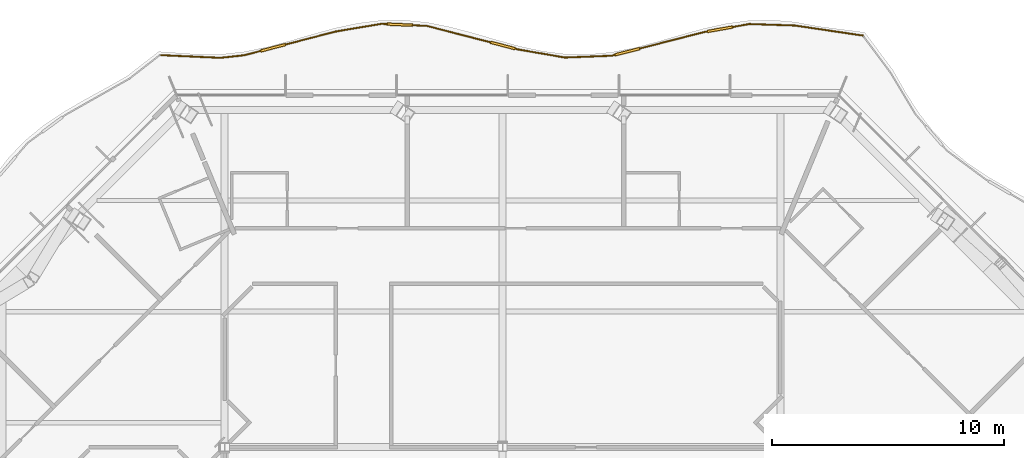
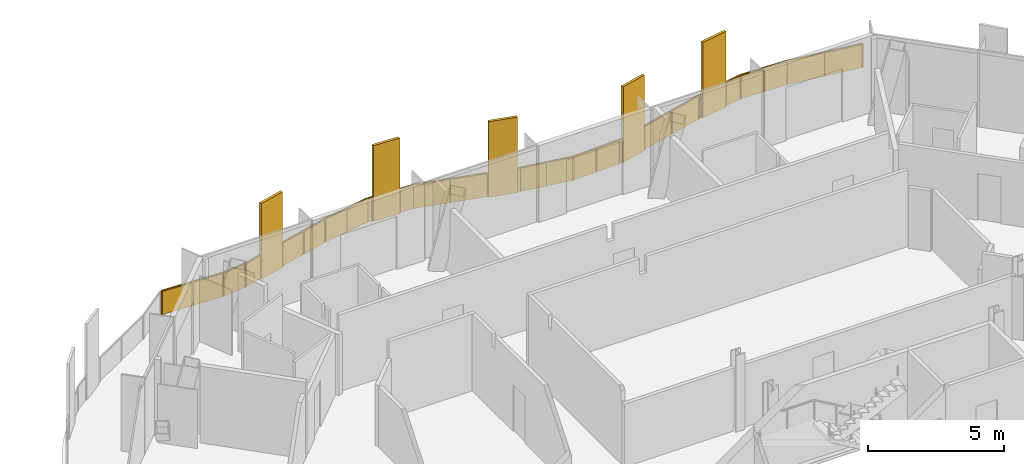
# One storey, part 21 of 22: 1 railing.
"""IFC4 building model written with IfcOpenShell, lengths in metres."""

from ifc_helpers import new_model, si_unit, direction, frame, origin, origin_2d, place, context, subcontext, project, spatial, polyline, rectangle, outline, extrude, material, type_object, element, save


model = new_model("IFC4")

# Units and contexts
model_context = context("Model", 3, precision=1e-05, world=origin(), true_north=direction((0.0, 1.0)))
body_context = subcontext(model_context, "Body", "Model", "MODEL_VIEW")
ifc_project = project(units=[si_unit("LENGTHUNIT", "METRE"), si_unit("AREAUNIT", "SQUARE_METRE"), si_unit("VOLUMEUNIT", "CUBIC_METRE"), si_unit("PLANEANGLEUNIT", "RADIAN"), si_unit("MASSUNIT", "GRAM", prefix="KILO")], contexts=[model_context])

# Site, building, storey
site_placement = place(None, origin())
site = spatial("IfcSite", under=ifc_project, at=site_placement, CompositionType="ELEMENT")
building_placement = place(site_placement, origin())
building = spatial("IfcBuilding", under=site, at=building_placement, Name="Cairn Pilgrim Tower", CompositionType="ELEMENT")
storey_placement = place(building_placement, frame((0.0, 0.0, 175.800048828125)))
storey = spatial("IfcBuildingStorey", under=building, at=storey_placement, Name="L44", CompositionType="ELEMENT", Elevation=175.800048828125)

# Railing
ifc_material = material(Name="Bronze anodised aluminium rail, posts and fin screens with laminated glass infill", Category="aluminium")
railing_type = type_object("IfcRailingType", Name="BALCONY GUARD WITH FIN SCREENS", PredefinedType="GUARDRAIL", material=ifc_material)
railing_placement = place(storey_placement, frame((22.761474609375, 30.97265625, 0.0)))
element("IfcRailing", 1, at=railing_placement, inside=storey, type_object=railing_type, Name="Balcony guard BGF-5 with fin screens", PredefinedType="GUARDRAIL", context=body_context, shape_type="SweptSolid", body=[
    extrude(rectangle(XDim=0.050048828125, YDim=0.050048828125, at=origin_2d()), frame((0.0, 0.0, 1.0751953125), z_axis=(-0.989236558424, 0.146325088338, 0.0), x_axis=(-0.146325088338, -0.989236558424, 0.0)), (0.0, 0.0, 1.0), 2.96826171875),
    extrude(rectangle(XDim=0.050048828125, YDim=0.050048828125, at=origin_2d()), frame((-2.936279296875, 0.434326171875, 1.0751953125), z_axis=(-0.999464877841, 0.032710211905, 0.0), x_axis=(-0.032710211905, -0.999464877841, 0.0)), (0.0, 0.0, 1.0), 1.962890625),
    extrude(rectangle(XDim=1.10009765625, YDim=0.110107421875, at=origin_2d()), frame((-6.17431640625, 0.272216796875, 0.0), z_axis=(0.0, 0.0, 1.0), x_axis=(-0.984645317954, -0.174566886411, 0.0)), (0.0, 0.0, 1.0), 3.39990234375),
    extrude(rectangle(XDim=0.050048828125, YDim=0.050048828125, at=origin_2d()), frame((-4.898193359375, 0.49853515625, 1.0751953125), z_axis=(-0.984645317954, -0.174566886411, 0.0), x_axis=(0.174566886411, -0.984645317954, 0.0)), (0.0, 0.0, 1.0), 0.745849609375),
    extrude(rectangle(XDim=0.050048828125, YDim=0.050048828125, at=origin_2d()), frame((-6.7158203125, 0.17626953125, 1.0751953125), z_axis=(-0.984645317954, -0.174566886411, 0.0), x_axis=(0.174566886411, -0.984645317954, 0.0)), (0.0, 0.0, 1.0), 0.14990234375),
    extrude(rectangle(XDim=1.10009765625, YDim=0.110107421875, at=origin_2d()), frame((-10.167724609375, -0.69677734375, 0.0), z_axis=(0.0, 0.0, 1.0), x_axis=(-0.968686209303, -0.248288195261, 0.0)), (0.0, 0.0, 1.0), 3.39990234375),
    extrude(rectangle(XDim=0.050048828125, YDim=0.050048828125, at=origin_2d()), frame((-6.86328125, 0.150146484375, 1.0751953125), z_axis=(-0.968686209303, -0.248288195261, 0.0), x_axis=(0.248288195261, -0.968686209303, 0.0)), (0.0, 0.0, 1.0), 2.861328125),
    extrude(rectangle(XDim=0.050048828125, YDim=0.050048828125, at=origin_2d()), frame((-10.700439453125, -0.83349609375, 1.0751953125), z_axis=(-0.968686209303, -0.248288195261, 0.0), x_axis=(0.248288195261, -0.968686209303, 0.0)), (0.0, 0.0, 1.0), 0.14990234375),
    extrude(rectangle(XDim=0.050048828125, YDim=0.050048828125, at=origin_2d()), frame((-10.845703125, -0.87060546875, 1.0751953125), z_axis=(-0.999241942789, -0.038929934129, 0.0), x_axis=(0.038929934129, -0.999241942789, 0.0)), (0.0, 0.0, 1.0), 2.019287109375),
    extrude(rectangle(XDim=0.050048828125, YDim=0.050048828125, at=origin_2d()), frame((-12.863525390625, -0.94921875, 1.0751953125), z_axis=(-0.985458732026, 0.169914941879, 0.0), x_axis=(-0.169914941879, -0.985458732026, 0.0)), (0.0, 0.0, 1.0), 2.037353515625),
    extrude(rectangle(XDim=1.10009765625, YDim=0.110107421875, at=origin_2d()), frame((-15.54931640625, -0.42822265625, 0.0), z_axis=(0.0, 0.0, 1.0), x_axis=(-0.968355490309, 0.249574927403, 0.0)), (0.0, 0.0, 1.0), 3.39990234375),
    extrude(rectangle(XDim=0.050048828125, YDim=0.050048828125, at=origin_2d()), frame((-14.871337890625, -0.60302734375, 1.0751953125), z_axis=(-0.968355490309, 0.249574927403, 0.0), x_axis=(-0.249574927403, -0.968355490309, 0.0)), (0.0, 0.0, 1.0), 0.150146484375),
    extrude(rectangle(XDim=0.050048828125, YDim=0.050048828125, at=origin_2d()), frame((-16.081787109375, -0.291015625, 1.0751953125), z_axis=(-0.968355490309, 0.249574927403, 0.0), x_axis=(-0.249574927403, -0.968355490309, 0.0)), (0.0, 0.0, 1.0), 2.8427734375),
    extrude(rectangle(XDim=1.10009765625, YDim=0.110107421875, at=origin_2d()), frame((-19.999267578125, 0.470947265625, 0.0), z_axis=(0.0, 0.0, 1.0), x_axis=(-0.998985193426, 0.045039797031, 0.0)), (0.0, 0.0, 1.0), 3.39990234375),
    extrude(rectangle(XDim=0.050048828125, YDim=0.050048828125, at=origin_2d()), frame((-18.834716796875, 0.41845703125, 1.0751953125), z_axis=(-0.998985193426, 0.045039797031, 0.0), x_axis=(-0.045039797031, -0.998985193426, 0.0)), (0.0, 0.0, 1.0), 0.61572265625),
    extrude(rectangle(XDim=0.050048828125, YDim=0.050048828125, at=origin_2d()), frame((-20.548583984375, 0.495849609375, 1.0751953125), z_axis=(-0.998985193426, 0.045039797031, 0.0), x_axis=(-0.045039797031, -0.998985193426, 0.0)), (0.0, 0.0, 1.0), 0.2412109375),
    extrude(rectangle(XDim=0.050048828125, YDim=0.050048828125, at=origin_2d()), frame((-20.78955078125, 0.506591796875, 1.0751953125), z_axis=(-0.986287676169, -0.165035207872, 0.0), x_axis=(0.165035207872, -0.986287676169, 0.0)), (0.0, 0.0, 1.0), 1.9912109375),
    extrude(rectangle(XDim=1.10009765625, YDim=0.110107421875, at=origin_2d()), frame((-25.467041015625, -0.525146484375, 0.0), z_axis=(0.0, 0.0, 1.0), x_axis=(-0.968041263917, -0.250790971437, 0.0)), (0.0, 0.0, 1.0), 3.39990234375),
    extrude(rectangle(XDim=0.050048828125, YDim=0.050048828125, at=origin_2d()), frame((-22.75341796875, 0.177978515625, 1.0751953125), z_axis=(-0.968041263917, -0.250790971437, 0.0), x_axis=(0.250790971437, -0.968041263917, 0.0)), (0.0, 0.0, 1.0), 2.253173828125),
    extrude(rectangle(XDim=0.050048828125, YDim=0.050048828125, at=origin_2d()), frame((-25.99951171875, -0.6630859375, 1.0751953125), z_axis=(-0.968041263917, -0.250790971437, 0.0), x_axis=(0.250790971437, -0.968041263917, 0.0)), (0.0, 0.0, 1.0), 0.7548828125),
    extrude(rectangle(XDim=0.050048828125, YDim=0.050048828125, at=origin_2d()), frame((-26.730224609375, -0.852294921875, 1.0751953125), z_axis=(-0.994324519311, -0.106389615555, 0.0), x_axis=(0.106389615555, -0.994324519311, 0.0)), (0.0, 0.0, 1.0), 1.021240234375),
    extrude(rectangle(XDim=0.050048828125, YDim=0.050048828125, at=origin_2d()), frame((-27.74560546875, -0.9609375, 1.0751953125), z_axis=(-0.998999944389, 0.044711420357, 0.0), x_axis=(-0.044711420357, -0.998999944389, 0.0)), (0.0, 0.0, 1.0), 2.560791015625),
    extrude(rectangle(XDim=0.050048828125, YDim=0.050048828125, at=origin_2d()), origin(), (0.0, 0.0, 1.0), 1.050048828125),
    extrude(rectangle(XDim=0.050048828125, YDim=0.050048828125, at=origin_2d()), frame((-1.46826171875, 0.21728515625, 0.0)), (0.0, 0.0, 1.0), 1.050048828125),
    extrude(rectangle(XDim=0.050048828125, YDim=0.050048828125, at=origin_2d()), frame((-2.936279296875, 0.434326171875, 0.0)), (0.0, 0.0, 1.0), 1.050048828125),
    extrude(rectangle(XDim=0.050048828125, YDim=0.050048828125, at=origin_2d()), frame((-3.917236328125, 0.46630859375, 0.0)), (0.0, 0.0, 1.0), 1.050048828125),
    extrude(rectangle(XDim=0.050048828125, YDim=0.050048828125, at=origin_2d()), frame((-4.898193359375, 0.49853515625, 0.0)), (0.0, 0.0, 1.0), 1.050048828125),
    extrude(rectangle(XDim=0.050048828125, YDim=0.050048828125, at=origin_2d()), frame((-5.60791015625, 0.372802734375, 0.0)), (0.0, 0.0, 1.0), 1.050048828125),
    extrude(rectangle(XDim=0.050048828125, YDim=0.050048828125, at=origin_2d()), frame((-6.740478515625, 0.171875, 0.0)), (0.0, 0.0, 1.0), 1.050048828125),
    extrude(rectangle(XDim=0.050048828125, YDim=0.050048828125, at=origin_2d()), frame((-6.86328125, 0.150146484375, 0.0)), (0.0, 0.0, 1.0), 1.050048828125),
    extrude(rectangle(XDim=0.050048828125, YDim=0.050048828125, at=origin_2d()), frame((-8.237060546875, -0.201904296875, 0.0)), (0.0, 0.0, 1.0), 1.050048828125),
    extrude(rectangle(XDim=0.050048828125, YDim=0.050048828125, at=origin_2d()), frame((-9.61083984375, -0.553955078125, 0.0)), (0.0, 0.0, 1.0), 1.050048828125),
    extrude(rectangle(XDim=0.050048828125, YDim=0.050048828125, at=origin_2d()), frame((-10.724853515625, -0.839599609375, 0.0)), (0.0, 0.0, 1.0), 1.050048828125),
    extrude(rectangle(XDim=0.050048828125, YDim=0.050048828125, at=origin_2d()), frame((-10.845703125, -0.87060546875, 0.0)), (0.0, 0.0, 1.0), 1.050048828125),
    extrude(rectangle(XDim=0.050048828125, YDim=0.050048828125, at=origin_2d()), frame((-11.8544921875, -0.909912109375, 0.0)), (0.0, 0.0, 1.0), 1.050048828125),
    extrude(rectangle(XDim=0.050048828125, YDim=0.050048828125, at=origin_2d()), frame((-12.863525390625, -0.94921875, 0.0)), (0.0, 0.0, 1.0), 1.050048828125),
    extrude(rectangle(XDim=0.050048828125, YDim=0.050048828125, at=origin_2d()), frame((-13.867431640625, -0.776123046875, 0.0)), (0.0, 0.0, 1.0), 1.050048828125),
    extrude(rectangle(XDim=0.050048828125, YDim=0.050048828125, at=origin_2d()), frame((-14.871337890625, -0.60302734375, 0.0)), (0.0, 0.0, 1.0), 1.050048828125),
    extrude(rectangle(XDim=0.050048828125, YDim=0.050048828125, at=origin_2d()), frame((-14.992431640625, -0.57177734375, 0.0)), (0.0, 0.0, 1.0), 1.050048828125),
    extrude(rectangle(XDim=0.050048828125, YDim=0.050048828125, at=origin_2d()), frame((-16.106201171875, -0.28466796875, 0.0)), (0.0, 0.0, 1.0), 1.050048828125),
    extrude(rectangle(XDim=0.050048828125, YDim=0.050048828125, at=origin_2d()), frame((-17.470458984375, 0.06689453125, 0.0)), (0.0, 0.0, 1.0), 1.050048828125),
    extrude(rectangle(XDim=0.050048828125, YDim=0.050048828125, at=origin_2d()), frame((-18.834716796875, 0.41845703125, 0.0)), (0.0, 0.0, 1.0), 1.050048828125),
    extrude(rectangle(XDim=0.050048828125, YDim=0.050048828125, at=origin_2d()), frame((-19.4248046875, 0.445068359375, 0.0)), (0.0, 0.0, 1.0), 1.050048828125),
    extrude(rectangle(XDim=0.050048828125, YDim=0.050048828125, at=origin_2d()), frame((-20.57373046875, 0.496826171875, 0.0)), (0.0, 0.0, 1.0), 1.050048828125),
    extrude(rectangle(XDim=0.050048828125, YDim=0.050048828125, at=origin_2d()), frame((-20.78955078125, 0.506591796875, 0.0)), (0.0, 0.0, 1.0), 1.050048828125),
    extrude(rectangle(XDim=0.050048828125, YDim=0.050048828125, at=origin_2d()), frame((-21.771484375, 0.34228515625, 0.0)), (0.0, 0.0, 1.0), 1.050048828125),
    extrude(rectangle(XDim=0.050048828125, YDim=0.050048828125, at=origin_2d()), frame((-22.75341796875, 0.177978515625, 0.0)), (0.0, 0.0, 1.0), 1.050048828125),
    extrude(rectangle(XDim=0.050048828125, YDim=0.050048828125, at=origin_2d()), frame((-23.83203125, -0.101318359375, 0.0)), (0.0, 0.0, 1.0), 1.050048828125),
    extrude(rectangle(XDim=0.050048828125, YDim=0.050048828125, at=origin_2d()), frame((-24.910400390625, -0.380859375, 0.0)), (0.0, 0.0, 1.0), 1.050048828125),
    extrude(rectangle(XDim=0.050048828125, YDim=0.050048828125, at=origin_2d()), frame((-26.023681640625, -0.669189453125, 0.0)), (0.0, 0.0, 1.0), 1.050048828125),
    extrude(rectangle(XDim=0.050048828125, YDim=0.050048828125, at=origin_2d()), frame((-26.730224609375, -0.852294921875, 0.0)), (0.0, 0.0, 1.0), 1.050048828125),
    extrude(rectangle(XDim=0.050048828125, YDim=0.050048828125, at=origin_2d()), frame((-27.74560546875, -0.9609375, 0.0)), (0.0, 0.0, 1.0), 1.050048828125),
    extrude(rectangle(XDim=0.050048828125, YDim=0.050048828125, at=origin_2d()), frame((-29.02490234375, -0.90380859375, 0.0)), (0.0, 0.0, 1.0), 1.050048828125),
    extrude(rectangle(XDim=0.050048828125, YDim=0.050048828125, at=origin_2d()), frame((-30.303955078125, -0.846435546875, 0.0)), (0.0, 0.0, 1.0), 1.050048828125),
    extrude(outline(polyline([(0.02490234375, 0.0), (1.458984375, 0.0), (1.458984375, 1.050048828125), (0.02490234375, 1.050048828125), (0.02490234375, 0.0)])), frame((-0.0009765625, -0.005859375, 0.0), z_axis=(0.146325088338, 0.989236558424, 0.0), x_axis=(-0.989236558424, 0.146325088338, 0.0)), (0.0, 0.0, 1.0), 0.011962890625),
    extrude(outline(polyline([(0.02490234375, 0.0), (1.458984375, 0.0), (1.458984375, 1.050048828125), (0.02490234375, 1.050048828125), (0.02490234375, 0.0)])), frame((-1.468994140625, 0.211181640625, 0.0), z_axis=(0.146325088338, 0.989236558424, 0.0), x_axis=(-0.989236558424, 0.146325088338, 0.0)), (0.0, 0.0, 1.0), 0.011962890625),
    extrude(outline(polyline([(0.02490234375, 0.0), (0.95654296875, 0.0), (0.95654296875, 1.050048828125), (0.02490234375, 1.050048828125), (0.02490234375, 0.0)])), frame((-2.9365234375, 0.428466796875, 0.0), z_axis=(0.032710211905, 0.999464877841, 0.0), x_axis=(-0.999464877841, 0.032710211905, 0.0)), (0.0, 0.0, 1.0), 0.011962890625),
    extrude(outline(polyline([(0.02490234375, 0.0), (0.95654296875, 0.0), (0.95654296875, 1.050048828125), (0.02490234375, 1.050048828125), (0.02490234375, 0.0)])), frame((-3.91748046875, 0.46044921875, 0.0), z_axis=(0.032710211905, 0.999464877841, 0.0), x_axis=(-0.999464877841, 0.032710211905, 0.0)), (0.0, 0.0, 1.0), 0.011962890625),
    extrude(outline(polyline([(0.02490234375, 0.0), (0.69580078125, 0.0), (0.69580078125, 1.050048828125), (0.02490234375, 1.050048828125), (0.02490234375, 0.0)])), frame((-4.897216796875, 0.49267578125, 0.0), z_axis=(-0.174566886411, 0.984645317954, 0.0), x_axis=(-0.984645317954, -0.174566886411, 0.0)), (0.0, 0.0, 1.0), 0.011962890625),
    extrude(outline(polyline([(0.02490234375, 0.0), (0.099853515625, 0.0), (0.099853515625, 1.050048828125), (0.02490234375, 1.050048828125), (0.02490234375, 0.0)])), frame((-6.7392578125, 0.166015625, 0.0), z_axis=(-0.174566886411, 0.984645317954, 0.0), x_axis=(-0.984645317954, -0.174566886411, 0.0)), (0.0, 0.0, 1.0), 0.011962890625),
    extrude(outline(polyline([(0.02490234375, 0.0), (1.39306640625, 0.0), (1.39306640625, 1.050048828125), (0.02490234375, 1.050048828125), (0.02490234375, 0.0)])), frame((-6.86181640625, 0.144287109375, 0.0), z_axis=(-0.248288195261, 0.968686209303, 0.0), x_axis=(-0.968686209303, -0.248288195261, 0.0)), (0.0, 0.0, 1.0), 0.011962890625),
    extrude(outline(polyline([(0.02490234375, 0.0), (1.39306640625, 0.0), (1.39306640625, 1.050048828125), (0.02490234375, 1.050048828125), (0.02490234375, 0.0)])), frame((-8.235595703125, -0.207763671875, 0.0), z_axis=(-0.248288195261, 0.968686209303, 0.0), x_axis=(-0.968686209303, -0.248288195261, 0.0)), (0.0, 0.0, 1.0), 0.011962890625),
    extrude(outline(polyline([(0.02490234375, 0.0), (0.099853515625, 0.0), (0.099853515625, 1.050048828125), (0.02490234375, 1.050048828125), (0.02490234375, 0.0)])), frame((-10.723388671875, -0.845458984375, 0.0), z_axis=(-0.248288195261, 0.968686209303, 0.0), x_axis=(-0.968686209303, -0.248288195261, 0.0)), (0.0, 0.0, 1.0), 0.011962890625),
    extrude(outline(polyline([(0.02490234375, 0.0), (0.984619140625, 0.0), (0.984619140625, 1.050048828125), (0.02490234375, 1.050048828125), (0.02490234375, 0.0)])), frame((-10.845458984375, -0.87646484375, 0.0), z_axis=(-0.038929934129, 0.999241942789, 0.0), x_axis=(-0.999241942789, -0.038929934129, 0.0)), (0.0, 0.0, 1.0), 0.011962890625),
    extrude(outline(polyline([(0.02490234375, 0.0), (0.984619140625, 0.0), (0.984619140625, 1.050048828125), (0.02490234375, 1.050048828125), (0.02490234375, 0.0)])), frame((-11.8544921875, -0.915771484375, 0.0), z_axis=(-0.038929934129, 0.999241942789, 0.0), x_axis=(-0.999241942789, -0.038929934129, 0.0)), (0.0, 0.0, 1.0), 0.011962890625),
    extrude(outline(polyline([(0.02490234375, 0.0), (0.99365234375, 0.0), (0.99365234375, 1.050048828125), (0.02490234375, 1.050048828125), (0.02490234375, 0.0)])), frame((-12.864501953125, -0.955078125, 0.0), z_axis=(0.169914941879, 0.985458732026, 0.0), x_axis=(-0.985458732026, 0.169914941879, 0.0)), (0.0, 0.0, 1.0), 0.011962890625),
    extrude(outline(polyline([(0.02490234375, 0.0), (0.99365234375, 0.0), (0.99365234375, 1.050048828125), (0.02490234375, 1.050048828125), (0.02490234375, 0.0)])), frame((-13.868408203125, -0.781982421875, 0.0), z_axis=(0.169914941879, 0.985458732026, 0.0), x_axis=(-0.985458732026, 0.169914941879, 0.0)), (0.0, 0.0, 1.0), 0.011962890625),
    extrude(outline(polyline([(0.02490234375, 0.0), (0.10009765625, 0.0), (0.10009765625, 1.050048828125), (0.02490234375, 1.050048828125), (0.02490234375, 0.0)])), frame((-14.872802734375, -0.60888671875, 0.0), z_axis=(0.249574927403, 0.968355490309, 0.0), x_axis=(-0.968355490309, 0.249574927403, 0.0)), (0.0, 0.0, 1.0), 0.011962890625),
    extrude(outline(polyline([(0.02490234375, 0.0), (1.3837890625, 0.0), (1.3837890625, 1.050048828125), (0.02490234375, 1.050048828125), (0.02490234375, 0.0)])), frame((-16.107666015625, -0.29052734375, 0.0), z_axis=(0.249574927403, 0.968355490309, 0.0), x_axis=(-0.968355490309, 0.249574927403, 0.0)), (0.0, 0.0, 1.0), 0.011962890625),
    extrude(outline(polyline([(0.02490234375, 0.0), (1.3837890625, 0.0), (1.3837890625, 1.050048828125), (0.02490234375, 1.050048828125), (0.02490234375, 0.0)])), frame((-17.471923828125, 0.06103515625, 0.0), z_axis=(0.249574927403, 0.968355490309, 0.0), x_axis=(-0.968355490309, 0.249574927403, 0.0)), (0.0, 0.0, 1.0), 0.011962890625),
    extrude(outline(polyline([(0.02490234375, 0.0), (0.565673828125, 0.0), (0.565673828125, 1.050048828125), (0.02490234375, 1.050048828125), (0.02490234375, 0.0)])), frame((-18.8349609375, 0.41259765625, 0.0), z_axis=(0.045039797031, 0.998985193426, 0.0), x_axis=(-0.998985193426, 0.045039797031, 0.0)), (0.0, 0.0, 1.0), 0.011962890625),
    extrude(outline(polyline([(0.02490234375, 0.0), (0.191162109375, 0.0), (0.191162109375, 1.050048828125), (0.02490234375, 1.050048828125), (0.02490234375, 0.0)])), frame((-20.573974609375, 0.490966796875, 0.0), z_axis=(0.045039797031, 0.998985193426, 0.0), x_axis=(-0.998985193426, 0.045039797031, 0.0)), (0.0, 0.0, 1.0), 0.011962890625),
    extrude(outline(polyline([(0.02490234375, 0.0), (0.970458984375, 0.0), (0.970458984375, 1.050048828125), (0.02490234375, 1.050048828125), (0.02490234375, 0.0)])), frame((-20.78857421875, 0.500732421875, 0.0), z_axis=(-0.165035207872, 0.986287676169, 0.0), x_axis=(-0.986287676169, -0.165035207872, 0.0)), (0.0, 0.0, 1.0), 0.011962890625),
    extrude(outline(polyline([(0.02490234375, 0.0), (0.970458984375, 0.0), (0.970458984375, 1.050048828125), (0.02490234375, 1.050048828125), (0.02490234375, 0.0)])), frame((-21.7705078125, 0.33642578125, 0.0), z_axis=(-0.165035207872, 0.986287676169, 0.0), x_axis=(-0.986287676169, -0.165035207872, 0.0)), (0.0, 0.0, 1.0), 0.011962890625),
    extrude(outline(polyline([(0.02490234375, 0.0), (1.089111328125, 0.0), (1.089111328125, 1.050048828125), (0.02490234375, 1.050048828125), (0.02490234375, 0.0)])), frame((-22.751953125, 0.172119140625, 0.0), z_axis=(-0.250790971437, 0.968041263917, 0.0), x_axis=(-0.968041263917, -0.250790971437, 0.0)), (0.0, 0.0, 1.0), 0.011962890625),
    extrude(outline(polyline([(0.02490234375, 0.0), (1.089111328125, 0.0), (1.089111328125, 1.050048828125), (0.02490234375, 1.050048828125), (0.02490234375, 0.0)])), frame((-23.830322265625, -0.107177734375, 0.0), z_axis=(-0.250790971437, 0.968041263917, 0.0), x_axis=(-0.968041263917, -0.250790971437, 0.0)), (0.0, 0.0, 1.0), 0.011962890625),
    extrude(outline(polyline([(0.02490234375, 0.0), (0.704833984375, 0.0), (0.704833984375, 1.050048828125), (0.02490234375, 1.050048828125), (0.02490234375, 0.0)])), frame((-26.022216796875, -0.675048828125, 0.0), z_axis=(-0.250790971437, 0.968041263917, 0.0), x_axis=(-0.968041263917, -0.250790971437, 0.0)), (0.0, 0.0, 1.0), 0.011962890625),
    extrude(outline(polyline([(0.02490234375, 0.0), (0.99609375, 0.0), (0.99609375, 1.050048828125), (0.02490234375, 1.050048828125), (0.02490234375, 0.0)])), frame((-26.7294921875, -0.858154296875, 0.0), z_axis=(-0.106389615555, 0.994324519311, 0.0), x_axis=(-0.994324519311, -0.106389615555, 0.0)), (0.0, 0.0, 1.0), 0.011962890625),
    extrude(outline(polyline([(0.02490234375, 0.0), (1.25537109375, 0.0), (1.25537109375, 1.050048828125), (0.02490234375, 1.050048828125), (0.02490234375, 0.0)])), frame((-27.745849609375, -0.966796875, 0.0), z_axis=(0.044711420357, 0.998999944389, 0.0), x_axis=(-0.998999944389, 0.044711420357, 0.0)), (0.0, 0.0, 1.0), 0.011962890625),
    extrude(outline(polyline([(0.02490234375, 0.0), (1.25537109375, 0.0), (1.25537109375, 1.050048828125), (0.02490234375, 1.050048828125), (0.02490234375, 0.0)])), frame((-29.025146484375, -0.90966796875, 0.0), z_axis=(0.044711420357, 0.998999944389, 0.0), x_axis=(-0.998999944389, 0.044711420357, 0.0)), (0.0, 0.0, 1.0), 0.011962890625),
])

save(model, "model.ifc")
